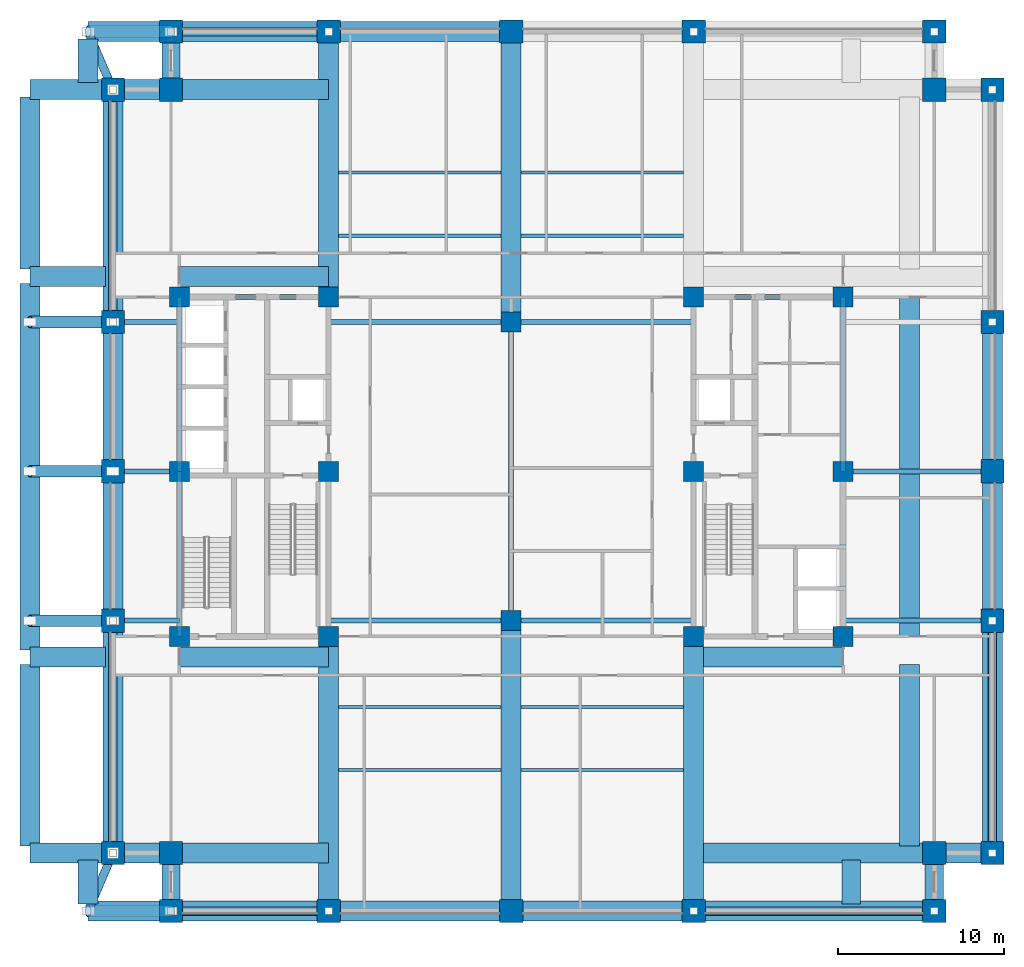
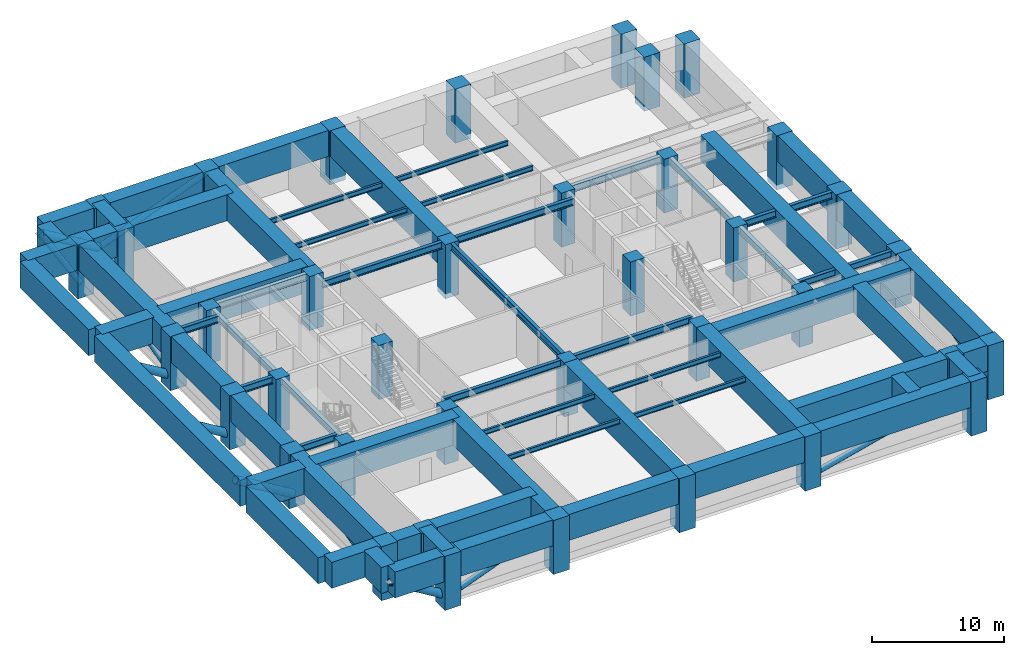
# One storey, part 1 of 11: 63 beams, 38 columns, 13 members.
"""IFC4 building model written with IfcOpenShell, lengths in metres."""

from ifc_helpers import new_model, si_unit, direction, frame, origin, origin_2d, place, context, subcontext, project, spatial, rectangle, hollow_circle, i_section, extrude, material, material_profile, profile_set, type_object, element, save


model = new_model("IFC4")

# Units and contexts
model_context = context("Model", 3, precision=1e-05, world=origin(), true_north=direction((0.0, 1.0)))
body_context = subcontext(model_context, "Body", "Model", "MODEL_VIEW")
ifc_project = project(units=[si_unit("LENGTHUNIT", "METRE"), si_unit("AREAUNIT", "SQUARE_METRE"), si_unit("VOLUMEUNIT", "CUBIC_METRE"), si_unit("PLANEANGLEUNIT", "RADIAN"), si_unit("MASSUNIT", "GRAM", prefix="KILO")], contexts=[model_context])

# Site, building, storey
site_placement = place(None, origin())
site = spatial("IfcSite", under=ifc_project, at=site_placement, CompositionType="ELEMENT")
building_placement = place(site_placement, origin())
building = spatial("IfcBuilding", under=site, at=building_placement, Name="Zulmaris Gate Convention Tower", CompositionType="ELEMENT")
storey_placement = place(building_placement, frame((0.0, 0.0, 52.18994140625)))
storey = spatial("IfcBuildingStorey", under=building, at=storey_placement, Name="L12", CompositionType="ELEMENT", Elevation=52.18994140625)

# Columns
ifc_material_1 = material(Name="Concrete C70/85", Category="concrete")
ifc_material_profile_1 = material_profile(ifc_material_1, rectangle(XDim=1.199951171875, YDim=1.199951171875, at=origin_2d()), Name="RC COL 1200x1200")
ifc_profile_set_1 = profile_set([ifc_material_profile_1], Name="Concrete C70/85")
column_type_1 = type_object("IfcColumnType", Name="COL-RC1200", PredefinedType="COLUMN", material=ifc_profile_set_1)
for number, where, z_axis, x_axis, name in (
    (1, (-20.0, -9.949951171875, -0.425048828125), (0.0, 0.0, 1.0), (1.0, 0.0, 0.0), "L12 Column IN--20.00_-9.95"),
    (2, (-20.0, 10.5, -0.425048828125), (0.0, 0.0, 1.0), (1.0, 0.0, 0.0), "L12 Column IN--20.00_+10.50"),
    (3, (-11.0, -9.949951171875, -0.425048828125), (0.0, 0.0, 1.0), (1.0, 0.0, 0.0), "L12 Column IN--11.00_-9.95"),
    (4, (-11.0, 0.0, -0.425048828125), (0.0, 0.0, 1.0), (1.0, 0.0, 0.0), "L12 Column IN--11.00_+0.00"),
    (5, (-11.0, 10.5, -0.425048828125), (0.0, 0.0, 1.0), (1.0, 0.0, 0.0), "L12 Column IN--11.00_+10.50"),
    (6, (11.0, -9.949951171875, -0.425048828125), (0.0, 0.0, 1.0), (1.0, 0.0, 0.0), "L12 Column IN-+11.00_-9.95"),
    (7, (11.0, 0.0, -0.425048828125), (0.0, 0.0, 1.0), (1.0, 0.0, 0.0), "L12 Column IN-+11.00_+0.00"),
    (8, (11.0, 10.5, -0.425048828125), (0.0, 0.0, 1.0), (1.0, 0.0, 0.0), "L12 Column IN-+11.00_+10.50"),
    (9, (20.0, -9.949951171875, -0.425048828125), (0.0, 0.0, 1.0), (1.0, 0.0, 0.0), "L12 Column IN-+20.00_-9.95"),
    (10, (20.0, 10.5, -0.425048828125), (0.0, 0.0, 1.0), (1.0, 0.0, 0.0), "L12 Column IN-+20.00_+10.50"),
    (11, (0.0, -9.0, -0.425048828125), (0.0, 0.0, 1.0), (1.0, 0.0, 0.0), "L12 Column IN-+0.00_-9.00"),
    (12, (0.0, 9.0, -0.425048828125), (0.0, 0.0, 1.0), (1.0, 0.0, 0.0), "L12 Column IN-+0.00_+9.00"),
    (13, (-20.0, 0.0, -0.425048828125), (0.0, 0.0, 1.0), (1.0, 0.0, 0.0), "L12 Column IN--20.00_+0.00"),
    (14, (20.0, 0.0, -0.425048828125), (0.0, 0.0, 1.0), (1.0, 0.0, 0.0), "L12 Column IN-+20.00_+0.00"),
):
    element("IfcColumn", number, at=place(storey_placement, frame(where, z_axis=z_axis, x_axis=x_axis)), inside=storey, type_object=column_type_1, Name=name, PredefinedType="COLUMN", context=body_context, shape_type="SweptSolid", body=[
        extrude(rectangle(XDim=1.199951171875, YDim=1.199951171875, at=origin_2d()), origin(), (0.0, 0.0, 1.0), 5.0),
    ])
ifc_material_2 = material(Name="Concrete C80/95", Category="concrete")
ifc_material_profile_2 = material_profile(ifc_material_2, rectangle(XDim=1.39990234375, YDim=1.39990234375, at=origin_2d()), Name="RC COL 1400x1400")
ifc_profile_set_2 = profile_set([ifc_material_profile_2], Name="Concrete C80/95")
column_type_2 = type_object("IfcColumnType", Name="COL-RC1400", PredefinedType="COLUMN", material=ifc_profile_set_2)
for number, where, z_axis, x_axis, name in (
    (15, (-20.5, -26.5, -0.425048828125), (0.0, 0.0, 1.0), (1.0, 0.0, 0.0), "L12 Column PT--20.50_-26.50"),
    (16, (-11.0, -26.5, -0.425048828125), (0.0, 0.0, 1.0), (1.0, 0.0, 0.0), "L12 Column PT--11.00_-26.50"),
    (17, (0.0, -26.5, -0.425048828125), (0.0, 0.0, 1.0), (1.0, 0.0, 0.0), "L12 Column PT-+0.00_-26.50"),
    (18, (11.0, -26.5, -0.425048828125), (0.0, 0.0, 1.0), (1.0, 0.0, 0.0), "L12 Column PT-+11.00_-26.50"),
    (19, (25.5, -26.5, -0.425048828125), (0.0, 0.0, 1.0), (1.0, 0.0, 0.0), "L12 Column PT-+25.50_-26.50"),
    (20, (-20.5, 26.5, -0.425048828125), (0.0, 0.0, 1.0), (1.0, 0.0, 0.0), "L12 Column PT--20.50_+26.50"),
    (21, (-11.0, 26.5, -0.425048828125), (0.0, 0.0, 1.0), (1.0, 0.0, 0.0), "L12 Column PT--11.00_+26.50"),
    (22, (0.0, 26.5, -0.425048828125), (0.0, 0.0, 1.0), (1.0, 0.0, 0.0), "L12 Column PT-+0.00_+26.50"),
    (23, (11.0, 26.5, -0.425048828125), (0.0, 0.0, 1.0), (1.0, 0.0, 0.0), "L12 Column PT-+11.00_+26.50"),
    (24, (25.5, 26.5, -0.425048828125), (0.0, 0.0, 1.0), (1.0, 0.0, 0.0), "L12 Column PT-+25.50_+26.50"),
    (25, (-24.0, -23.0, -0.425048828125), (0.0, 0.0, 1.0), (1.0, 0.0, 0.0), "L12 Column PT--24.00_-23.00"),
    (26, (-24.0, -9.0, -0.425048828125), (0.0, 0.0, 1.0), (1.0, 0.0, 0.0), "L12 Column PT--24.00_-9.00"),
    (27, (-24.0, 0.0, -0.425048828125), (0.0, 0.0, 1.0), (1.0, 0.0, 0.0), "L12 Column PT--24.00_+0.00"),
    (28, (-24.0, 9.0, -0.425048828125), (0.0, 0.0, 1.0), (1.0, 0.0, 0.0), "L12 Column PT--24.00_+9.00"),
    (29, (-24.0, 23.0, -0.425048828125), (0.0, 0.0, 1.0), (1.0, 0.0, 0.0), "L12 Column PT--24.00_+23.00"),
    (30, (29.0, -23.0, -0.425048828125), (0.0, 0.0, 1.0), (1.0, 0.0, 0.0), "L12 Column PT-+29.00_-23.00"),
    (31, (29.0, -9.0, -0.425048828125), (0.0, 0.0, 1.0), (1.0, 0.0, 0.0), "L12 Column PT-+29.00_-9.00"),
    (32, (29.0, 0.0, -0.425048828125), (0.0, 0.0, 1.0), (1.0, 0.0, 0.0), "L12 Column PT-+29.00_+0.00"),
    (33, (29.0, 9.0, -0.425048828125), (0.0, 0.0, 1.0), (1.0, 0.0, 0.0), "L12 Column PT-+29.00_+9.00"),
    (34, (29.0, 23.0, -0.425048828125), (0.0, 0.0, 1.0), (1.0, 0.0, 0.0), "L12 Column PT-+29.00_+23.00"),
    (35, (-20.5, -23.0, -0.425048828125), (0.0, 0.0, 1.0), (1.0, 0.0, 0.0), "L12 Column PT--20.50_-23.00"),
    (36, (25.5, -23.0, -0.425048828125), (0.0, 0.0, 1.0), (1.0, 0.0, 0.0), "L12 Column PT-+25.50_-23.00"),
    (37, (25.5, 23.0, -0.425048828125), (0.0, 0.0, 1.0), (1.0, 0.0, 0.0), "L12 Column PT-+25.50_+23.00"),
    (38, (-20.5, 23.0, -0.425048828125), (0.0, 0.0, 1.0), (1.0, 0.0, 0.0), "L12 Column PT--20.50_+23.00"),
):
    element("IfcColumn", number, at=place(storey_placement, frame(where, z_axis=z_axis, x_axis=x_axis)), inside=storey, type_object=column_type_2, Name=name, PredefinedType="COLUMN", context=body_context, shape_type="SweptSolid", body=[
        extrude(rectangle(XDim=1.39990234375, YDim=1.39990234375, at=origin_2d()), origin(), (0.0, 0.0, 1.0), 5.0),
    ])

# Beams
ifc_material_3 = material(Name="Steel S355", Category="steel")
ifc_material_profile_3 = material_profile(ifc_material_3, i_section(OverallWidth=0.300048828125, OverallDepth=0.64990234375, WebThickness=0.01611328125, FlangeThickness=0.031005859375, FilletRadius=0.027099609375, at=origin_2d()), Name="HEB 650")
ifc_profile_set_3 = profile_set([ifc_material_profile_3], Name="Steel S355")
beam_type_1 = type_object("IfcBeamType", Name="BM-HEB650", PredefinedType="BEAM", material=ifc_profile_set_3)
for number, where, z_axis, x_axis, name in (
    (39, (-11.0, -9.0, 4.248046875), (1.0, 0.0, 0.0), (0.0, 1.0, 0.0), "L12 Beam BM-L12-G01"),
    (40, (0.0, -9.0, 4.248046875), (1.0, 0.0, 0.0), (0.0, 1.0, 0.0), "L12 Beam BM-L12-G02"),
    (41, (-11.0, 9.0, 4.248046875), (1.0, 0.0, 0.0), (0.0, 1.0, 0.0), "L12 Beam BM-L12-G03"),
    (42, (0.0, 9.0, 4.248046875), (1.0, 0.0, 0.0), (0.0, 1.0, 0.0), "L12 Beam BM-L12-G04"),
):
    element("IfcBeam", number, at=place(storey_placement, frame(where, z_axis=z_axis, x_axis=x_axis)), inside=storey, type_object=beam_type_1, Name=name, PredefinedType="BEAM", context=body_context, shape_type="SweptSolid", body=[
        extrude(i_section(OverallWidth=0.300048828125, OverallDepth=0.64990234375, WebThickness=0.01611328125, FlangeThickness=0.031005859375, FilletRadius=0.027099609375, at=origin_2d()), origin(), (0.0, 0.0, 1.0), 11.0),
    ])
beam_1_placement = place(storey_placement, frame((0.0, -9.0, 4.248046875), z_axis=(0.0, 1.0, 0.0), x_axis=(-1.0, 0.0, 0.0)))
element("IfcBeam", 43, at=beam_1_placement, inside=storey, type_object=beam_type_1, Name="L12 Beam BM-L12-G06", PredefinedType="BEAM", context=body_context, shape_type="SweptSolid", body=[
    extrude(i_section(OverallWidth=0.300048828125, OverallDepth=0.64990234375, WebThickness=0.01611328125, FlangeThickness=0.031005859375, FilletRadius=0.027099609375, at=origin_2d()), origin(), (0.0, 0.0, 1.0), 18.0),
])
for number, where, z_axis, x_axis, name in (
    (44, (-24.0, -9.0, 4.248046875), (1.0, 0.0, 0.0), (0.0, 1.0, 0.0), "L12 Beam BM-L12-G16"),
    (45, (-24.0, 0.0, 4.248046875), (1.0, 0.0, 0.0), (0.0, 1.0, 0.0), "L12 Beam BM-L12-G17"),
    (46, (-24.0, 9.0, 4.248046875), (1.0, 0.0, 0.0), (0.0, 1.0, 0.0), "L12 Beam BM-L12-G18"),
):
    element("IfcBeam", number, at=place(storey_placement, frame(where, z_axis=z_axis, x_axis=x_axis)), inside=storey, type_object=beam_type_1, Name=name, PredefinedType="BEAM", context=body_context, shape_type="SweptSolid", body=[
        extrude(i_section(OverallWidth=0.300048828125, OverallDepth=0.64990234375, WebThickness=0.01611328125, FlangeThickness=0.031005859375, FilletRadius=0.027099609375, at=origin_2d()), origin(), (0.0, 0.0, 1.0), 4.0),
    ])
for number, where, z_axis, x_axis, name in (
    (47, (20.0, -9.0, 4.212890625), (1.0, 0.0, 0.0), (0.0, 1.0, 0.0), "L12 Beam BM-L12-G19"),
    (48, (20.0, 0.0, 4.212890625), (1.0, 0.0, 0.0), (0.0, 1.0, 0.0), "L12 Beam BM-L12-G20"),
    (49, (-20.0, 10.5, 4.248046875), (1.0, 0.0, 0.0), (0.0, 1.0, 0.0), "L12 Beam BM-L12-G23"),
    (50, (11.0, 10.5, 4.248046875), (1.0, 0.0, 0.0), (0.0, 1.0, 0.0), "L12 Beam BM-L12-G25"),
):
    element("IfcBeam", number, at=place(storey_placement, frame(where, z_axis=z_axis, x_axis=x_axis)), inside=storey, type_object=beam_type_1, Name=name, PredefinedType="BEAM", context=body_context, shape_type="SweptSolid", body=[
        extrude(i_section(OverallWidth=0.300048828125, OverallDepth=0.64990234375, WebThickness=0.01611328125, FlangeThickness=0.031005859375, FilletRadius=0.027099609375, at=origin_2d()), origin(), (0.0, 0.0, 1.0), 9.0),
    ])
beam_2_placement = place(storey_placement, frame((-20.0, -9.949951171875, 4.248046875), z_axis=(0.0, 1.0, 0.0), x_axis=(-1.0, 0.0, 0.0)))
element("IfcBeam", 51, at=beam_2_placement, inside=storey, type_object=beam_type_1, Name="L12 Beam BM-L12-G26", PredefinedType="BEAM", context=body_context, shape_type="SweptSolid", body=[
    extrude(i_section(OverallWidth=0.300048828125, OverallDepth=0.64990234375, WebThickness=0.01611328125, FlangeThickness=0.031005859375, FilletRadius=0.027099609375, at=origin_2d()), origin(), (0.0, 0.0, 1.0), 9.949951171875),
])
beam_3_placement = place(storey_placement, frame((-20.0, 0.0, 4.248046875), z_axis=(0.0, 1.0, 0.0), x_axis=(-1.0, 0.0, 0.0)))
element("IfcBeam", 52, at=beam_3_placement, inside=storey, type_object=beam_type_1, Name="L12 Beam BM-L12-G27", PredefinedType="BEAM", context=body_context, shape_type="SweptSolid", body=[
    extrude(i_section(OverallWidth=0.300048828125, OverallDepth=0.64990234375, WebThickness=0.01611328125, FlangeThickness=0.031005859375, FilletRadius=0.027099609375, at=origin_2d()), origin(), (0.0, 0.0, 1.0), 10.5),
])
beam_4_placement = place(storey_placement, frame((20.0, -9.949951171875, 4.248046875), z_axis=(0.0, 1.0, 0.0), x_axis=(-1.0, 0.0, 0.0)))
element("IfcBeam", 53, at=beam_4_placement, inside=storey, type_object=beam_type_1, Name="L12 Beam BM-L12-G28", PredefinedType="BEAM", context=body_context, shape_type="SweptSolid", body=[
    extrude(i_section(OverallWidth=0.300048828125, OverallDepth=0.64990234375, WebThickness=0.01611328125, FlangeThickness=0.031005859375, FilletRadius=0.027099609375, at=origin_2d()), origin(), (0.0, 0.0, 1.0), 9.949951171875),
])
beam_5_placement = place(storey_placement, frame((20.0, 0.0, 4.248046875), z_axis=(0.0, 1.0, 0.0), x_axis=(-1.0, 0.0, 0.0)))
element("IfcBeam", 54, at=beam_5_placement, inside=storey, type_object=beam_type_1, Name="L12 Beam BM-L12-G29", PredefinedType="BEAM", context=body_context, shape_type="SweptSolid", body=[
    extrude(i_section(OverallWidth=0.300048828125, OverallDepth=0.64990234375, WebThickness=0.01611328125, FlangeThickness=0.031005859375, FilletRadius=0.027099609375, at=origin_2d()), origin(), (0.0, 0.0, 1.0), 10.5),
])
ifc_material_profile_4 = material_profile(ifc_material_2, rectangle(XDim=1.10009765625, YDim=1.800048828125, at=origin_2d()), Name="RC TRANSFER 1100x1800")
ifc_profile_set_4 = profile_set([ifc_material_profile_4], Name="Concrete C80/95")
beam_type_2 = type_object("IfcBeamType", Name="BM-XFER1800", PredefinedType="BEAM", material=ifc_profile_set_4)
for number, where, z_axis, x_axis, name in (
    (55, (-20.5, -26.5, 3.675048828125), (0.0, 1.0, 0.0), (-1.0, 0.0, 0.0), "L12 Beam XFCOLV-L12-CXWS"),
    (56, (-20.5, 23.0, 3.675048828125), (0.0, 1.0, 0.0), (-1.0, 0.0, 0.0), "L12 Beam XFCOLV-L12-CXWN"),
    (57, (25.5, -26.5, 3.675048828125), (0.0, 1.0, 0.0), (-1.0, 0.0, 0.0), "L12 Beam XFCOLV-L12-CXES"),
):
    element("IfcBeam", number, at=place(storey_placement, frame(where, z_axis=z_axis, x_axis=x_axis)), inside=storey, type_object=beam_type_2, Name=name, PredefinedType="BEAM", context=body_context, shape_type="SweptSolid", body=[
        extrude(rectangle(XDim=1.10009765625, YDim=1.800048828125, at=origin_2d()), origin(), (0.0, 0.0, 1.0), 3.5),
    ])
beam_6_placement = place(storey_placement, frame((20.5, -26.06494140625, 3.675048828125), z_axis=(0.0, 1.0, 0.0), x_axis=(-1.0, 0.0, 0.0)))
element("IfcBeam", 58, at=beam_6_placement, inside=storey, type_object=beam_type_2, Name="L12 Beam XFNCH-L12-EC--23.0", PredefinedType="BEAM", context=body_context, shape_type="SweptSolid", body=[
    extrude(rectangle(XDim=1.10009765625, YDim=1.800048828125, at=origin_2d()), origin(), (0.0, 0.0, 1.0), 2.6298828125),
])
ifc_material_profile_5 = material_profile(ifc_material_2, rectangle(XDim=1.199951171875, YDim=2.39990234375, at=origin_2d()), Name="RC TRANSFER 1200x2400")
ifc_profile_set_5 = profile_set([ifc_material_profile_5], Name="Concrete C80/95")
beam_type_3 = type_object("IfcBeamType", Name="BM-XFER2400", PredefinedType="BEAM", material=ifc_profile_set_5)
beam_7_placement = place(storey_placement, frame((-24.0, -23.0, 3.375), z_axis=(0.0, 1.0, 0.0), x_axis=(-1.0, 0.0, 0.0)))
element("IfcBeam", 59, at=beam_7_placement, inside=storey, type_object=beam_type_3, Name="L12 Beam XFCOLV-L12-XWS", PredefinedType="BEAM", context=body_context, shape_type="SweptSolid", body=[
    extrude(rectangle(XDim=1.199951171875, YDim=2.39990234375, at=origin_2d()), origin(), (0.0, 0.0, 1.0), 14.0),
])
for number, where, z_axis, x_axis, name in (
    (60, (-24.0, -9.0, 3.375), (0.0, 1.0, 0.0), (-1.0, 0.0, 0.0), "L12 Beam XFCOLV-L12-XWM1"),
    (61, (-24.0, 0.0, 3.375), (0.0, 1.0, 0.0), (-1.0, 0.0, 0.0), "L12 Beam XFCOLV-L12-XWM2"),
):
    element("IfcBeam", number, at=place(storey_placement, frame(where, z_axis=z_axis, x_axis=x_axis)), inside=storey, type_object=beam_type_3, Name=name, PredefinedType="BEAM", context=body_context, shape_type="SweptSolid", body=[
        extrude(rectangle(XDim=1.199951171875, YDim=2.39990234375, at=origin_2d()), origin(), (0.0, 0.0, 1.0), 9.0),
    ])
for number, where, z_axis, x_axis, name in (
    (62, (-24.0, 9.0, 3.375), (0.0, 1.0, 0.0), (-1.0, 0.0, 0.0), "L12 Beam XFCOLV-L12-XWN"),
    (63, (29.0, -23.0, 3.375), (0.0, 1.0, 0.0), (-1.0, 0.0, 0.0), "L12 Beam XFCOLV-L12-XES"),
):
    element("IfcBeam", number, at=place(storey_placement, frame(where, z_axis=z_axis, x_axis=x_axis)), inside=storey, type_object=beam_type_3, Name=name, PredefinedType="BEAM", context=body_context, shape_type="SweptSolid", body=[
        extrude(rectangle(XDim=1.199951171875, YDim=2.39990234375, at=origin_2d()), origin(), (0.0, 0.0, 1.0), 14.0),
    ])
for number, where, z_axis, x_axis, name in (
    (64, (29.0, -9.0, 3.375), (0.0, 1.0, 0.0), (-1.0, 0.0, 0.0), "L12 Beam XFCOLV-L12-XEM1"),
    (65, (29.0, 0.0, 3.375), (0.0, 1.0, 0.0), (-1.0, 0.0, 0.0), "L12 Beam XFCOLV-L12-XEM2"),
):
    element("IfcBeam", number, at=place(storey_placement, frame(where, z_axis=z_axis, x_axis=x_axis)), inside=storey, type_object=beam_type_3, Name=name, PredefinedType="BEAM", context=body_context, shape_type="SweptSolid", body=[
        extrude(rectangle(XDim=1.199951171875, YDim=2.39990234375, at=origin_2d()), origin(), (0.0, 0.0, 1.0), 9.0),
    ])
beam_8_placement = place(storey_placement, frame((-11.0, -26.5, 3.375), z_axis=(0.0, 1.0, 0.0), x_axis=(-1.0, 0.0, 0.0)))
element("IfcBeam", 66, at=beam_8_placement, inside=storey, type_object=beam_type_3, Name="L12 Beam XFCOLV-L12-C11WS", PredefinedType="BEAM", context=body_context, shape_type="SweptSolid", body=[
    extrude(rectangle(XDim=1.199951171875, YDim=2.39990234375, at=origin_2d()), origin(), (0.0, 0.0, 1.0), 16.550048828125),
])
beam_9_placement = place(storey_placement, frame((-11.0, 10.5, 3.375), z_axis=(0.0, 1.0, 0.0), x_axis=(-1.0, 0.0, 0.0)))
element("IfcBeam", 67, at=beam_9_placement, inside=storey, type_object=beam_type_3, Name="L12 Beam XFCOLV-L12-C11WN", PredefinedType="BEAM", context=body_context, shape_type="SweptSolid", body=[
    extrude(rectangle(XDim=1.199951171875, YDim=2.39990234375, at=origin_2d()), origin(), (0.0, 0.0, 1.0), 16.0),
])
beam_10_placement = place(storey_placement, frame((11.0, -26.5, 3.375), z_axis=(0.0, 1.0, 0.0), x_axis=(-1.0, 0.0, 0.0)))
element("IfcBeam", 68, at=beam_10_placement, inside=storey, type_object=beam_type_3, Name="L12 Beam XFCOLV-L12-C11ES", PredefinedType="BEAM", context=body_context, shape_type="SweptSolid", body=[
    extrude(rectangle(XDim=1.199951171875, YDim=2.39990234375, at=origin_2d()), origin(), (0.0, 0.0, 1.0), 16.550048828125),
])
for number, where, z_axis, x_axis, name in (
    (69, (0.0, -26.5, 3.375), (0.0, 1.0, 0.0), (-1.0, 0.0, 0.0), "L12 Beam XFCOLV-L12-C0S"),
    (70, (0.0, 9.0, 3.375), (0.0, 1.0, 0.0), (-1.0, 0.0, 0.0), "L12 Beam XFCOLV-L12-C0N"),
):
    element("IfcBeam", number, at=place(storey_placement, frame(where, z_axis=z_axis, x_axis=x_axis)), inside=storey, type_object=beam_type_3, Name=name, PredefinedType="BEAM", context=body_context, shape_type="SweptSolid", body=[
        extrude(rectangle(XDim=1.199951171875, YDim=2.39990234375, at=origin_2d()), origin(), (0.0, 0.0, 1.0), 17.5),
    ])
beam_11_placement = place(storey_placement, frame((-23.56494140625, -23.0, 3.375), z_axis=(1.0, 0.0, 0.0), x_axis=(0.0, 1.0, 0.0)))
element("IfcBeam", 71, at=beam_11_placement, inside=storey, type_object=beam_type_3, Name="L12 Beam XFBS-L12-W--23.00", PredefinedType="BEAM", context=body_context, shape_type="SweptSolid", body=[
    extrude(rectangle(XDim=1.199951171875, YDim=2.39990234375, at=origin_2d()), origin(), (0.0, 0.0, 1.0), 12.56494140625),
])
beam_12_placement = place(storey_placement, frame((-29.0, -23.0, 3.375), z_axis=(1.0, 0.0, 0.0), x_axis=(0.0, 1.0, 0.0)))
element("IfcBeam", 72, at=beam_12_placement, inside=storey, type_object=beam_type_3, Name="L12 Beam XFSF-L12-W--23.00", PredefinedType="BEAM", context=body_context, shape_type="SweptSolid", body=[
    extrude(rectangle(XDim=1.199951171875, YDim=2.39990234375, at=origin_2d()), origin(), (0.0, 0.0, 1.0), 4.56494140625),
])
beam_13_placement = place(storey_placement, frame((-23.56494140625, -11.199951171875, 3.375), z_axis=(1.0, 0.0, 0.0), x_axis=(0.0, 1.0, 0.0)))
element("IfcBeam", 73, at=beam_13_placement, inside=storey, type_object=beam_type_3, Name="L12 Beam XFBS-L12-W--11.20", PredefinedType="BEAM", context=body_context, shape_type="SweptSolid", body=[
    extrude(rectangle(XDim=1.199951171875, YDim=2.39990234375, at=origin_2d()), origin(), (0.0, 0.0, 1.0), 12.56494140625),
])
beam_14_placement = place(storey_placement, frame((-29.0, -11.199951171875, 3.375), z_axis=(1.0, 0.0, 0.0), x_axis=(0.0, 1.0, 0.0)))
element("IfcBeam", 74, at=beam_14_placement, inside=storey, type_object=beam_type_3, Name="L12 Beam XFSF-L12-W--11.20", PredefinedType="BEAM", context=body_context, shape_type="SweptSolid", body=[
    extrude(rectangle(XDim=1.199951171875, YDim=2.39990234375, at=origin_2d()), origin(), (0.0, 0.0, 1.0), 4.56494140625),
])
beam_15_placement = place(storey_placement, frame((-23.56494140625, 11.75, 3.375), z_axis=(1.0, 0.0, 0.0), x_axis=(0.0, 1.0, 0.0)))
element("IfcBeam", 75, at=beam_15_placement, inside=storey, type_object=beam_type_3, Name="L12 Beam XFBS-L12-W-+11.75", PredefinedType="BEAM", context=body_context, shape_type="SweptSolid", body=[
    extrude(rectangle(XDim=1.199951171875, YDim=2.39990234375, at=origin_2d()), origin(), (0.0, 0.0, 1.0), 12.56494140625),
])
beam_16_placement = place(storey_placement, frame((-29.0, 11.75, 3.375), z_axis=(1.0, 0.0, 0.0), x_axis=(0.0, 1.0, 0.0)))
element("IfcBeam", 76, at=beam_16_placement, inside=storey, type_object=beam_type_3, Name="L12 Beam XFSF-L12-W-+11.75", PredefinedType="BEAM", context=body_context, shape_type="SweptSolid", body=[
    extrude(rectangle(XDim=1.199951171875, YDim=2.39990234375, at=origin_2d()), origin(), (0.0, 0.0, 1.0), 4.56494140625),
])
beam_17_placement = place(storey_placement, frame((-23.56494140625, 23.0, 3.375), z_axis=(1.0, 0.0, 0.0), x_axis=(0.0, 1.0, 0.0)))
element("IfcBeam", 77, at=beam_17_placement, inside=storey, type_object=beam_type_3, Name="L12 Beam XFBS-L12-W-+23.00", PredefinedType="BEAM", context=body_context, shape_type="SweptSolid", body=[
    extrude(rectangle(XDim=1.199951171875, YDim=2.39990234375, at=origin_2d()), origin(), (0.0, 0.0, 1.0), 12.56494140625),
])
beam_18_placement = place(storey_placement, frame((-29.0, 23.0, 3.375), z_axis=(1.0, 0.0, 0.0), x_axis=(0.0, 1.0, 0.0)))
element("IfcBeam", 78, at=beam_18_placement, inside=storey, type_object=beam_type_3, Name="L12 Beam XFSF-L12-W-+23.00", PredefinedType="BEAM", context=body_context, shape_type="SweptSolid", body=[
    extrude(rectangle(XDim=1.199951171875, YDim=2.39990234375, at=origin_2d()), origin(), (0.0, 0.0, 1.0), 4.56494140625),
])
beam_19_placement = place(storey_placement, frame((-29.0, -22.56494140625, 3.375), z_axis=(0.0, 1.0, 0.0), x_axis=(-1.0, 0.0, 0.0)))
element("IfcBeam", 79, at=beam_19_placement, inside=storey, type_object=beam_type_3, Name="L12 Beam XFEDG-L12-WS", PredefinedType="BEAM", context=body_context, shape_type="SweptSolid", body=[
    extrude(rectangle(XDim=1.199951171875, YDim=2.39990234375, at=origin_2d()), origin(), (0.0, 0.0, 1.0), 10.929931640625),
])
beam_20_placement = place(storey_placement, frame((-29.0, -10.764892578125, 3.375), z_axis=(0.0, 1.0, 0.0), x_axis=(-1.0, 0.0, 0.0)))
element("IfcBeam", 80, at=beam_20_placement, inside=storey, type_object=beam_type_3, Name="L12 Beam XFEDG-L12-WM", PredefinedType="BEAM", context=body_context, shape_type="SweptSolid", body=[
    extrude(rectangle(XDim=1.199951171875, YDim=2.39990234375, at=origin_2d()), origin(), (0.0, 0.0, 1.0), 22.079833984375),
])
beam_21_placement = place(storey_placement, frame((-29.0, 12.18505859375, 3.375), z_axis=(0.0, 1.0, 0.0), x_axis=(-1.0, 0.0, 0.0)))
element("IfcBeam", 81, at=beam_21_placement, inside=storey, type_object=beam_type_3, Name="L12 Beam XFEDG-L12-WN", PredefinedType="BEAM", context=body_context, shape_type="SweptSolid", body=[
    extrude(rectangle(XDim=1.199951171875, YDim=2.39990234375, at=origin_2d()), origin(), (0.0, 0.0, 1.0), 10.3798828125),
])
beam_22_placement = place(storey_placement, frame((-20.1650390625, -26.5, 3.375), z_axis=(1.0, 0.0, 0.0), x_axis=(0.0, 1.0, 0.0)))
element("IfcBeam", 82, at=beam_22_placement, inside=storey, type_object=beam_type_3, Name="L12 Beam XFBS-L12-WC--26.5", PredefinedType="BEAM", context=body_context, shape_type="SweptSolid", body=[
    extrude(rectangle(XDim=1.199951171875, YDim=2.39990234375, at=origin_2d()), origin(), (0.0, 0.0, 1.0), 19.72998046875),
])
beam_23_placement = place(storey_placement, frame((-25.5, -26.5, 3.375), z_axis=(1.0, 0.0, 0.0), x_axis=(0.0, 1.0, 0.0)))
element("IfcBeam", 83, at=beam_23_placement, inside=storey, type_object=beam_type_3, Name="L12 Beam XFSF-L12-WC--26.5", PredefinedType="BEAM", context=body_context, shape_type="SweptSolid", body=[
    extrude(rectangle(XDim=1.199951171875, YDim=2.39990234375, at=origin_2d()), origin(), (0.0, 0.0, 1.0), 4.6650390625),
])
beam_24_placement = place(storey_placement, frame((-20.1650390625, 26.5, 3.375), z_axis=(1.0, 0.0, 0.0), x_axis=(0.0, 1.0, 0.0)))
element("IfcBeam", 84, at=beam_24_placement, inside=storey, type_object=beam_type_3, Name="L12 Beam XFBS-L12-WC-+26.5", PredefinedType="BEAM", context=body_context, shape_type="SweptSolid", body=[
    extrude(rectangle(XDim=1.199951171875, YDim=2.39990234375, at=origin_2d()), origin(), (0.0, 0.0, 1.0), 19.72998046875),
])
beam_25_placement = place(storey_placement, frame((-25.5, 26.5, 3.375), z_axis=(1.0, 0.0, 0.0), x_axis=(0.0, 1.0, 0.0)))
element("IfcBeam", 85, at=beam_25_placement, inside=storey, type_object=beam_type_3, Name="L12 Beam XFSF-L12-WC-+26.5", PredefinedType="BEAM", context=body_context, shape_type="SweptSolid", body=[
    extrude(rectangle(XDim=1.199951171875, YDim=2.39990234375, at=origin_2d()), origin(), (0.0, 0.0, 1.0), 4.6650390625),
])
for number, where, z_axis, x_axis, name in (
    (86, (11.0, -23.0, 3.375), (1.0, 0.0, 0.0), (0.0, 1.0, 0.0), "L12 Beam XFREC-L12-E--23.00"),
    (87, (11.0, -11.199951171875, 3.375), (1.0, 0.0, 0.0), (0.0, 1.0, 0.0), "L12 Beam XFREC-L12-E--11.20"),
):
    element("IfcBeam", number, at=place(storey_placement, frame(where, z_axis=z_axis, x_axis=x_axis)), inside=storey, type_object=beam_type_3, Name=name, PredefinedType="BEAM", context=body_context, shape_type="SweptSolid", body=[
        extrude(rectangle(XDim=1.199951171875, YDim=2.39990234375, at=origin_2d()), origin(), (0.0, 0.0, 1.0), 18.0),
    ])
beam_26_placement = place(storey_placement, frame((24.0, -22.56494140625, 3.375), z_axis=(0.0, 1.0, 0.0), x_axis=(-1.0, 0.0, 0.0)))
element("IfcBeam", 88, at=beam_26_placement, inside=storey, type_object=beam_type_3, Name="L12 Beam XFEDG-L12-ES", PredefinedType="BEAM", context=body_context, shape_type="SweptSolid", body=[
    extrude(rectangle(XDim=1.199951171875, YDim=2.39990234375, at=origin_2d()), origin(), (0.0, 0.0, 1.0), 10.929931640625),
])
beam_27_placement = place(storey_placement, frame((24.0, -10.764892578125, 3.375), z_axis=(0.0, 1.0, 0.0), x_axis=(-1.0, 0.0, 0.0)))
element("IfcBeam", 89, at=beam_27_placement, inside=storey, type_object=beam_type_3, Name="L12 Beam XFEDG-L12-EM", PredefinedType="BEAM", context=body_context, shape_type="SweptSolid", body=[
    extrude(rectangle(XDim=1.199951171875, YDim=2.39990234375, at=origin_2d()), origin(), (0.0, 0.0, 1.0), 22.079833984375),
])
beam_28_placement = place(storey_placement, frame((11.0, -26.5, 3.375), z_axis=(1.0, 0.0, 0.0), x_axis=(0.0, 1.0, 0.0)))
element("IfcBeam", 90, at=beam_28_placement, inside=storey, type_object=beam_type_3, Name="L12 Beam XFREC-L12-EC--26.5", PredefinedType="BEAM", context=body_context, shape_type="SweptSolid", body=[
    extrude(rectangle(XDim=1.199951171875, YDim=2.39990234375, at=origin_2d()), origin(), (0.0, 0.0, 1.0), 14.5),
])
beam_29_placement = place(storey_placement, frame((0.0, -26.5, 3.375), z_axis=(1.0, 0.0, 0.0), x_axis=(0.0, 1.0, 0.0)))
element("IfcBeam", 91, at=beam_29_placement, inside=storey, type_object=beam_type_3, Name="L12 Beam XFREC-L12-M2--26.5", PredefinedType="BEAM", context=body_context, shape_type="SweptSolid", body=[
    extrude(rectangle(XDim=1.199951171875, YDim=2.39990234375, at=origin_2d()), origin(), (0.0, 0.0, 1.0), 11.0),
])
for number, where, z_axis, x_axis, name in (
    (92, (-25.5, -26.06494140625, 3.375), (0.0, 1.0, 0.0), (-1.0, 0.0, 0.0), "L12 Beam XFNCH-L12-WC--23.0"),
    (93, (-25.5, 23.43505859375, 3.375), (0.0, 1.0, 0.0), (-1.0, 0.0, 0.0), "L12 Beam XFNCH-L12-WC-+23.0"),
):
    element("IfcBeam", number, at=place(storey_placement, frame(where, z_axis=z_axis, x_axis=x_axis)), inside=storey, type_object=beam_type_3, Name=name, PredefinedType="BEAM", context=body_context, shape_type="SweptSolid", body=[
        extrude(rectangle(XDim=1.199951171875, YDim=2.39990234375, at=origin_2d()), origin(), (0.0, 0.0, 1.0), 2.6298828125),
    ])

# Members
ifc_material_4 = material(Name="Steel S460", Category="steel")
ifc_material_profile_6 = material_profile(ifc_material_4, hollow_circle(Radius=0.25390625, WallThickness=0.02490234375, at=origin_2d()), Name="CHS 508x25")
ifc_profile_set_6 = profile_set([ifc_material_profile_6], Name="Steel S460")
member_type_1 = type_object("IfcMemberType", Name="BR-CHS508", PredefinedType="BRACE", material=ifc_profile_set_6)
for number, where, z_axis, x_axis, name in (
    (94, (-24.0, -23.0, 0.349853515625), (-0.308433691023, -0.719678612387, 0.62203806404), (0.919145030018, -0.393919298579, 0.0), "L12 Shifted Block Notch Web Strut WC -26.5"),
    (95, (-24.0, 23.0, 0.349853515625), (-0.308433691023, 0.719678612387, 0.62203806404), (-0.919145030018, -0.393919298579, 0.0), "L12 Shifted Block Notch Web Strut WC +26.5"),
):
    element("IfcMember", number, at=place(storey_placement, frame(where, z_axis=z_axis, x_axis=x_axis)), inside=storey, type_object=member_type_1, Name=name, PredefinedType="BRACE", context=body_context, shape_type="SweptSolid", body=[
        extrude(hollow_circle(Radius=0.25390625, WallThickness=0.02490234375, at=origin_2d()), origin(), (0.0, 0.0, 1.0), 4.86328125),
    ])
for number, where, z_axis, x_axis, name in (
    (96, (-24.0, -23.0, 0.300048828125), (0.0, 0.967569054531, 0.252606660076), (-1.0, 0.0, 0.0), "L12 Perimeter Tube Diagonal SW-W"),
    (97, (-24.0, 9.0, 0.300048828125), (0.0, 0.967569054531, 0.252606660076), (-1.0, 0.0, 0.0), "L12 Perimeter Tube Diagonal NW-W"),
    (98, (29.0, -23.0, 0.300048828125), (0.0, 0.967569054531, 0.252606660076), (-1.0, 0.0, 0.0), "L12 Perimeter Tube Diagonal SE-E"),
):
    element("IfcMember", number, at=place(storey_placement, frame(where, z_axis=z_axis, x_axis=x_axis)), inside=storey, type_object=member_type_1, Name=name, PredefinedType="BRACE", context=body_context, shape_type="SweptSolid", body=[
        extrude(hollow_circle(Radius=0.25390625, WallThickness=0.02490234375, at=origin_2d()), origin(), (0.0, 0.0, 1.0), 14.46923828125),
    ])
member_1_placement = place(storey_placement, frame((-20.5, -26.5, 0.300048828125), z_axis=(0.933306655897, 0.0, 0.359080333713), x_axis=(0.0, 1.0, 0.0)))
element("IfcMember", 99, at=member_1_placement, inside=storey, type_object=member_type_1, Name="L12 Perimeter Tube Diagonal SW-S", PredefinedType="BRACE", context=body_context, shape_type="SweptSolid", body=[
    extrude(hollow_circle(Radius=0.25390625, WallThickness=0.02490234375, at=origin_2d()), origin(), (0.0, 0.0, 1.0), 10.178955078125),
])
member_2_placement = place(storey_placement, frame((11.0, -26.5, 0.300048828125), z_axis=(0.969668148656, 0.0, 0.244425206316), x_axis=(0.0, 1.0, 0.0)))
element("IfcMember", 100, at=member_2_placement, inside=storey, type_object=member_type_1, Name="L12 Perimeter Tube Diagonal SE-S", PredefinedType="BRACE", context=body_context, shape_type="SweptSolid", body=[
    extrude(hollow_circle(Radius=0.25390625, WallThickness=0.02490234375, at=origin_2d()), origin(), (0.0, 0.0, 1.0), 14.95361328125),
])
member_3_placement = place(storey_placement, frame((-20.5, 26.5, 0.300048828125), z_axis=(0.933306655897, 0.0, 0.359080333713), x_axis=(0.0, 1.0, 0.0)))
element("IfcMember", 101, at=member_3_placement, inside=storey, type_object=member_type_1, Name="L12 Perimeter Tube Diagonal NW-N", PredefinedType="BRACE", context=body_context, shape_type="SweptSolid", body=[
    extrude(hollow_circle(Radius=0.25390625, WallThickness=0.02490234375, at=origin_2d()), origin(), (0.0, 0.0, 1.0), 10.178955078125),
])
ifc_material_profile_7 = material_profile(ifc_material_4, hollow_circle(Radius=0.35546875, WallThickness=0.035888671875, at=origin_2d()), Name="CHS 711x36")
ifc_profile_set_7 = profile_set([ifc_material_profile_7], Name="Steel S460")
member_type_2 = type_object("IfcMemberType", Name="BR-CHS711", PredefinedType="BRACE", material=ifc_profile_set_7)
for number, where, z_axis, x_axis, name in (
    (102, (-24.0, -9.0, 0.349853515625), (-0.855588701888, 0.0, 0.517656230718), (0.0, -1.0, 0.0), "L12 Shifted Block Transfer Raking Strut W -9.0"),
    (103, (-24.0, 0.0, 0.349853515625), (-0.855588701888, 0.0, 0.517656230718), (0.0, -1.0, 0.0), "L12 Shifted Block Transfer Raking Strut W +0.0"),
    (104, (-24.0, 9.0, 0.349853515625), (-0.855588701888, 0.0, 0.517656230718), (0.0, -1.0, 0.0), "L12 Shifted Block Transfer Raking Strut W +9.0"),
    (105, (-20.5, -26.5, 0.349853515625), (-0.855588701888, 0.0, 0.517656230718), (0.0, -1.0, 0.0), "L12 Shifted Block Corner Raking Strut WC -26.5"),
    (106, (-20.5, 26.5, 0.349853515625), (-0.855588701888, 0.0, 0.517656230718), (0.0, -1.0, 0.0), "L12 Shifted Block Corner Raking Strut WC +26.5"),
):
    element("IfcMember", number, at=place(storey_placement, frame(where, z_axis=z_axis, x_axis=x_axis)), inside=storey, type_object=member_type_2, Name=name, PredefinedType="BRACE", context=body_context, shape_type="SweptSolid", body=[
        extrude(hollow_circle(Radius=0.35546875, WallThickness=0.035888671875, at=origin_2d()), origin(), (0.0, 0.0, 1.0), 5.843994140625),
    ])

# Beams
ifc_material_profile_8 = material_profile(ifc_material_3, i_section(OverallWidth=0.18994140625, OverallDepth=0.449951171875, WebThickness=0.009521484375, FlangeThickness=0.0146484375, FilletRadius=0.02099609375, at=origin_2d()), Name="IPE 450")
ifc_profile_set_8 = profile_set([ifc_material_profile_8], Name="Steel S355")
beam_type_4 = type_object("IfcBeamType", Name="JT-IPE450", PredefinedType="JOIST", material=ifc_profile_set_8)
for number, where, z_axis, x_axis, name in (
    (107, (-10.39990234375, -18.0, 4.347900390625), (1.0, 0.0, 0.0), (0.0, 1.0, 0.0), "L12 Joist JT-L12-CW--18.0"),
    (108, (0.60009765625, -18.0, 4.347900390625), (1.0, 0.0, 0.0), (0.0, 1.0, 0.0), "L12 Joist JT-L12-CE--18.0"),
    (109, (-10.39990234375, -14.199951171875, 4.347900390625), (1.0, 0.0, 0.0), (0.0, 1.0, 0.0), "L12 Joist JT-L12-CW--14.2"),
    (110, (0.60009765625, -14.199951171875, 4.347900390625), (1.0, 0.0, 0.0), (0.0, 1.0, 0.0), "L12 Joist JT-L12-CE--14.2"),
    (111, (-10.39990234375, 14.199951171875, 4.347900390625), (1.0, 0.0, 0.0), (0.0, 1.0, 0.0), "L12 Joist JT-L12-CW-+14.2"),
    (112, (0.60009765625, 14.199951171875, 4.347900390625), (1.0, 0.0, 0.0), (0.0, 1.0, 0.0), "L12 Joist JT-L12-CE-+14.2"),
    (113, (-10.39990234375, 18.0, 4.347900390625), (1.0, 0.0, 0.0), (0.0, 1.0, 0.0), "L12 Joist JT-L12-CW-+18.0"),
    (114, (0.60009765625, 18.0, 4.347900390625), (1.0, 0.0, 0.0), (0.0, 1.0, 0.0), "L12 Joist JT-L12-CE-+18.0"),
):
    element("IfcBeam", number, at=place(storey_placement, frame(where, z_axis=z_axis, x_axis=x_axis)), inside=storey, type_object=beam_type_4, Name=name, PredefinedType="JOIST", context=body_context, shape_type="SweptSolid", body=[
        extrude(i_section(OverallWidth=0.18994140625, OverallDepth=0.449951171875, WebThickness=0.009521484375, FlangeThickness=0.0146484375, FilletRadius=0.02099609375, at=origin_2d()), origin(), (0.0, 0.0, 1.0), 9.7998046875),
    ])

save(model, "model.ifc")
